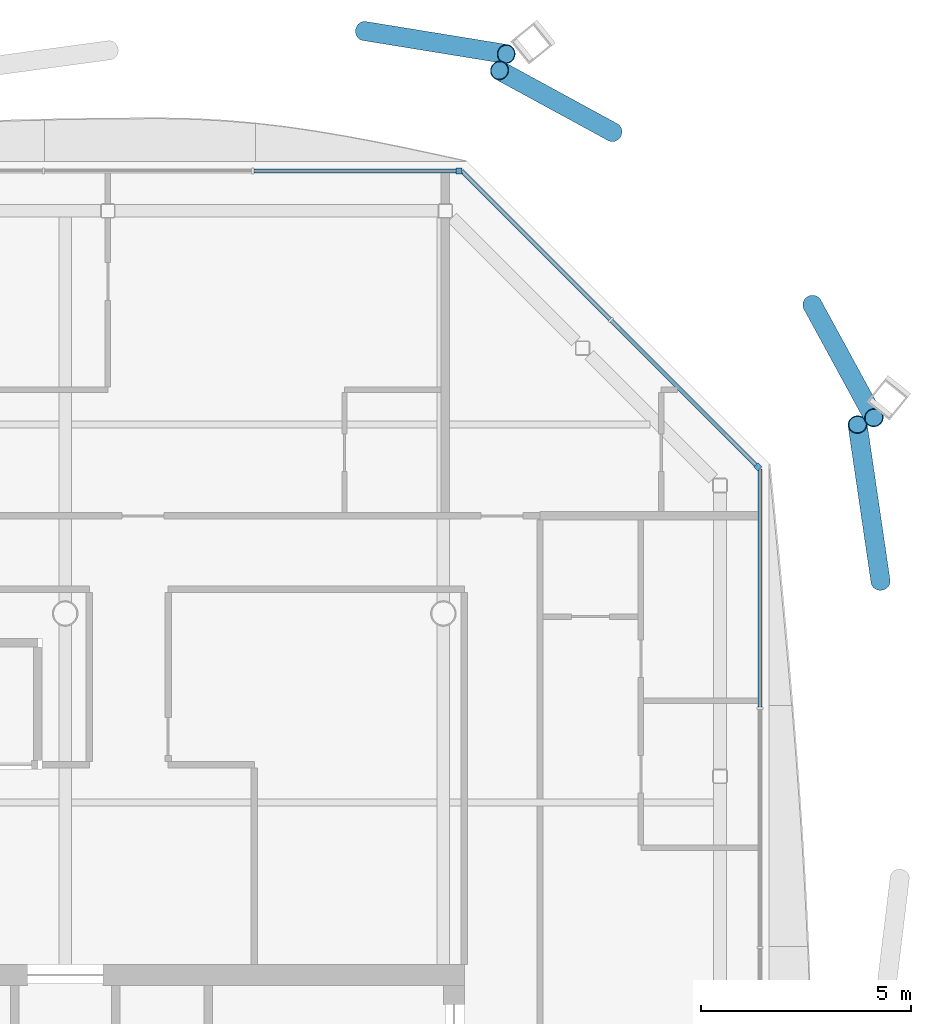
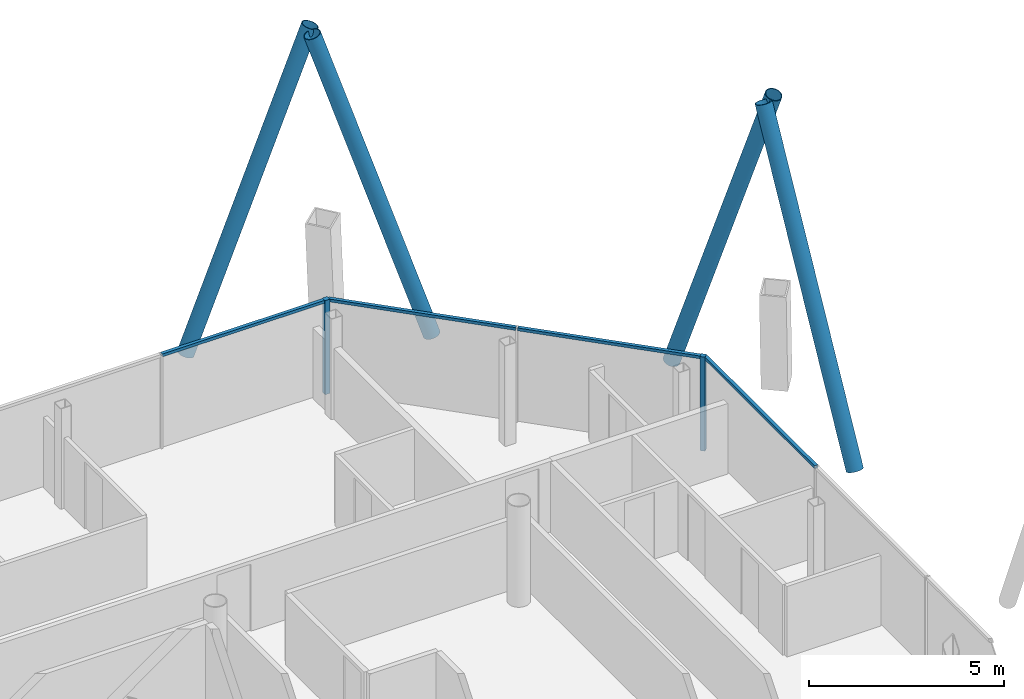
# One storey, part 12 of 20: 10 members, 3 elements without a shape of their own.
"""IFC4 building model written with IfcOpenShell, lengths in metres."""

from ifc_helpers import new_model, si_unit, direction, frame, origin, origin_2d, place, context, subcontext, project, spatial, rectangle, hollow_circle, extrude, material, material_profile, profile_set, type_object, element, aggregate, save


model = new_model("IFC4")

# Units and contexts
model_context = context("Model", 3, precision=1e-05, world=origin(), true_north=direction((0.0, 1.0)))
body_context = subcontext(model_context, "Body", "Model", "MODEL_VIEW")
ifc_project = project(units=[si_unit("LENGTHUNIT", "METRE"), si_unit("AREAUNIT", "SQUARE_METRE"), si_unit("VOLUMEUNIT", "CUBIC_METRE"), si_unit("PLANEANGLEUNIT", "RADIAN"), si_unit("MASSUNIT", "GRAM", prefix="KILO")], contexts=[model_context])

# Site, building, storey
site_placement = place(None, origin())
site = spatial("IfcSite", under=ifc_project, at=site_placement, CompositionType="ELEMENT")
building_placement = place(site_placement, origin())
building = spatial("IfcBuilding", under=site, at=building_placement, Name="Tskaro Facet Tower", CompositionType="ELEMENT")
storey_placement = place(building_placement, frame((0.0, 0.0, 200.550048828125)))
storey = spatial("IfcBuildingStorey", under=building, at=storey_placement, Name="L51", CompositionType="ELEMENT", Elevation=200.550048828125)

# Members
ifc_material_1 = material(Name="Steel S355J2H", Category="steel")
ifc_material_profile_1 = material_profile(ifc_material_1, hollow_circle(Radius=0.228515625, WallThickness=0.02001953125, at=origin_2d()), Name="CHS 457x20")
ifc_profile_set_1 = profile_set([ifc_material_profile_1], Name="Steel S355J2H")
member_type_1 = type_object("IfcMemberType", Name="CHS 457x20 brace", PredefinedType="BRACE", material=ifc_profile_set_1)
member_1_placement = place(storey_placement, frame((19.404296875, 9.76416015625, 0.0), z_axis=(-0.053841420227, 0.36686065743, 0.928716511912), x_axis=(-0.989401283409, -0.145207094831, 0.0)))
element("IfcMember", 1, at=member_1_placement, inside=storey, type_object=member_type_1, Name="CHS 457x20 XB05A/4", PredefinedType="BRACE", context=body_context, shape_type="SweptSolid", body=[
    extrude(hollow_circle(Radius=0.228515625, WallThickness=0.02001953125, at=origin_2d()), origin(), (0.0, 0.0, 1.0), 10.17529296875),
])
for number, where, z_axis, x_axis, name in (
    (2, (13.0302734375, 20.4560546875, 0.0), (-0.27122854255, 0.147679248118, 0.951118245741), (-0.478194179613, -0.878254135535, 0.0), "CHS 457x20 XB06A/4"),
    (3, (17.779296875, 16.353271484375, 0.0), (0.147680232321, -0.271205777724, 0.951124584432), (0.878235939201, 0.47822759759, 0.0), "CHS 457x20 XB06B/4"),
):
    element("IfcMember", number, at=place(storey_placement, frame(where, z_axis=z_axis, x_axis=x_axis)), inside=storey, type_object=member_type_1, Name=name, PredefinedType="BRACE", context=body_context, shape_type="SweptSolid", body=[
        extrude(hollow_circle(Radius=0.228515625, WallThickness=0.02001953125, at=origin_2d()), origin(), (0.0, 0.0, 1.0), 9.935546875),
    ])
member_2_placement = place(storey_placement, frame((7.122802734375, 22.861328125, 0.0), z_axis=(0.335773117623, -0.054516668544, 0.940363943552), x_axis=(0.16026299412, 0.987074350146, 0.0)))
element("IfcMember", 4, at=member_2_placement, inside=storey, type_object=member_type_1, Name="CHS 457x20 XB07B/4", PredefinedType="BRACE", context=body_context, shape_type="SweptSolid", body=[
    extrude(hollow_circle(Radius=0.228515625, WallThickness=0.02001953125, at=origin_2d()), origin(), (0.0, 0.0, 1.0), 10.04931640625),
])

# Curtain wall, member
ifc_material_2 = material(Name="Bronze anodised aluminium 6063-T6", Category="aluminium")
curtain_wall_type = type_object("IfcCurtainWallType", Name="Bronze residence curtain wall (FW3)", PredefinedType="NOTDEFINED", material=ifc_material_2)
curtain_wall_1_placement = place(storey_placement, origin())
curtain_wall_1 = element("IfcCurtainWall", 5, at=curtain_wall_1_placement, inside=storey, type_object=curtain_wall_type, Name="FW3 north-east facet L51", PredefinedType="NOTDEFINED")
ifc_material_profile_2 = material_profile(ifc_material_2, rectangle(XDim=0.139892578125, YDim=0.139892578125, at=origin_2d()), Name="Corner post 140x140")
ifc_profile_set_2 = profile_set([ifc_material_profile_2], Name="Bronze anodised aluminium 6063-T6")
member_type_2 = type_object("IfcMemberType", Name="FW3 bronze corner post 140x140", PredefinedType="MULLION", material=ifc_profile_set_2)
member_3_placement = place(storey_placement, frame((16.4833984375, 12.488525390625, 0.0), z_axis=(0.0, 0.0, 1.0), x_axis=(-0.707106781187, 0.707106781187, 0.0)))
member_3 = element("IfcMember", 6, at=member_3_placement, type_object=member_type_2, Name="FW3 north-east corner post", PredefinedType="MULLION", context=body_context, shape_type="SweptSolid", body=[
    extrude(rectangle(XDim=0.139892578125, YDim=0.139892578125, at=origin_2d()), origin(), (0.0, 0.0, 1.0), 2.949951171875),
])

curtain_wall_2_placement = place(storey_placement, origin())
curtain_wall_2 = element("IfcCurtainWall", 7, at=curtain_wall_2_placement, inside=storey, type_object=curtain_wall_type, Name="FW3 north facet L51", PredefinedType="NOTDEFINED")
member_4_placement = place(storey_placement, frame((9.368896484375, 19.532958984375, 0.0), z_axis=(0.0, 0.0, 1.0), x_axis=(-1.0, 0.0, 0.0)))
member_4 = element("IfcMember", 8, at=member_4_placement, type_object=member_type_2, Name="FW3 north corner post", PredefinedType="MULLION", context=body_context, shape_type="SweptSolid", body=[
    extrude(rectangle(XDim=0.139892578125, YDim=0.139892578125, at=origin_2d()), origin(), (0.0, 0.0, 1.0), 2.949951171875),
])

curtain_wall_3_placement = place(storey_placement, origin())
curtain_wall_3 = element("IfcCurtainWall", 9, at=curtain_wall_3_placement, inside=storey, type_object=curtain_wall_type, Name="FW3 east facet L51", PredefinedType="NOTDEFINED")
ifc_material_profile_3 = material_profile(ifc_material_2, rectangle(XDim=0.10009765625, YDim=0.090087890625, at=origin_2d()), Name="Transom 100x90")
ifc_profile_set_3 = profile_set([ifc_material_profile_3], Name="Bronze anodised aluminium 6063-T6")
member_type_3 = type_object("IfcMemberType", Name="FW3 bronze transom 100x90", PredefinedType="USERDEFINED", material=ifc_profile_set_3)
member_5_placement = place(storey_placement, frame((16.532958984375, 6.77099609375, 2.905029296875), z_axis=(0.0, 1.0, 0.0), x_axis=(-1.0, 0.0, 0.0)))
member_5 = element("IfcMember", 10, at=member_5_placement, type_object=member_type_3, Name="FW3 east transom 5.1", ObjectType="TRANSOM", PredefinedType="USERDEFINED", context=body_context, shape_type="SweptSolid", body=[
    extrude(rectangle(XDim=0.10009765625, YDim=0.090087890625, at=origin_2d()), origin(), (0.0, 0.0, 1.0), 5.66796875),
])
aggregate(curtain_wall_3, [member_5])

# Member
member_6_placement = place(storey_placement, frame((16.43408203125, 12.5380859375, 2.905029296875), z_axis=(-0.707131943786, 0.707081617692, 0.0), x_axis=(-0.707081617692, -0.707131943786, 0.0)))
member_6 = element("IfcMember", 11, at=member_6_placement, type_object=member_type_3, Name="FW3 north-east transom 1.1", ObjectType="TRANSOM", PredefinedType="USERDEFINED", context=body_context, shape_type="SweptSolid", body=[
    extrude(rectangle(XDim=0.10009765625, YDim=0.090087890625, at=origin_2d()), origin(), (0.0, 0.0, 1.0), 4.85107421875),
])

member_7_placement = place(storey_placement, frame((12.96826171875, 16.003662109375, 2.905029296875), z_axis=(-0.707106781187, 0.707106781187, 0.0), x_axis=(-0.707106781187, -0.707106781187, 0.0)))
member_7 = element("IfcMember", 12, at=member_7_placement, type_object=member_type_3, Name="FW3 north-east transom 2.1", ObjectType="TRANSOM", PredefinedType="USERDEFINED", context=body_context, shape_type="SweptSolid", body=[
    extrude(rectangle(XDim=0.10009765625, YDim=0.090087890625, at=origin_2d()), origin(), (0.0, 0.0, 1.0), 4.9912109375),
])

aggregate(curtain_wall_1, [member_3, member_6, member_7])

member_8_placement = place(storey_placement, frame((9.299072265625, 19.532958984375, 2.905029296875), z_axis=(-1.0, 0.0, 0.0), x_axis=(0.0, -1.0, 0.0)))
member_8 = element("IfcMember", 13, at=member_8_placement, type_object=member_type_3, Name="FW3 north transom 1.1", ObjectType="TRANSOM", PredefinedType="USERDEFINED", context=body_context, shape_type="SweptSolid", body=[
    extrude(rectangle(XDim=0.10009765625, YDim=0.090087890625, at=origin_2d()), origin(), (0.0, 0.0, 1.0), 4.810791015625),
])

aggregate(curtain_wall_2, [member_4, member_8])

save(model, "model.ifc")
